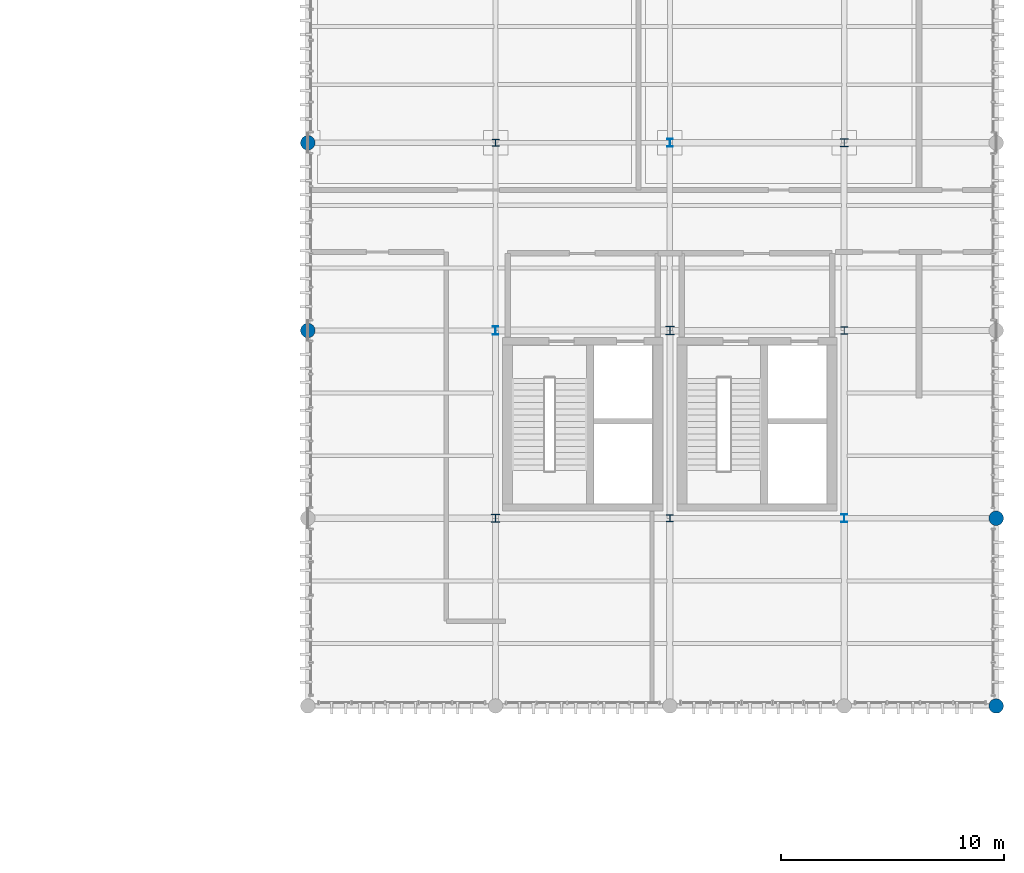
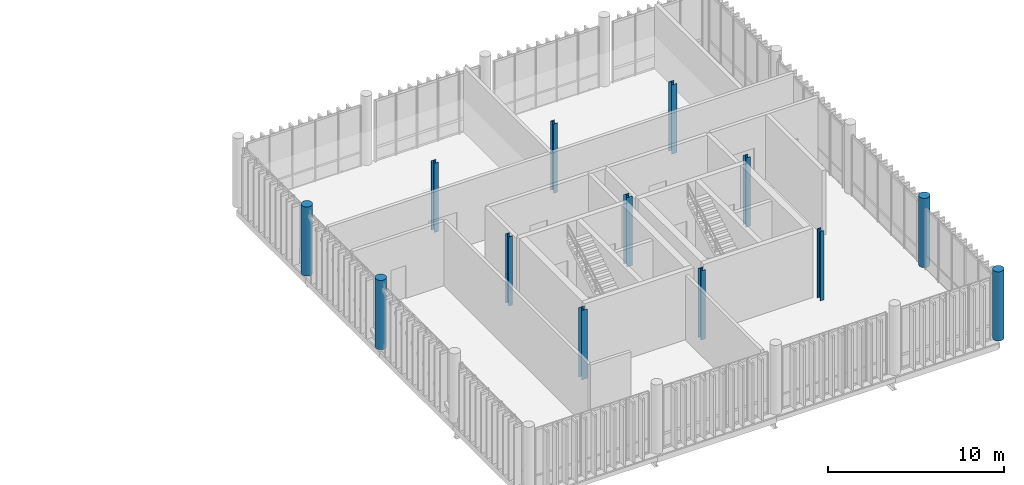
# One storey, part 5 of 86: 13 columns.
"""IFC4 building model written with IfcOpenShell, lengths in metres."""

from ifc_helpers import new_model, si_unit, direction, frame, origin_with_axes, origin_2d_with_axis, place, context, subcontext, project, spatial, circle, i_section, extrude, material, material_profile, profile_set, type_object, element, save


model = new_model("IFC4")

# Units and contexts
model_context = context("Model", 3, precision=1e-05, world=origin_with_axes(), true_north=direction((0.0, 1.0)))
body_context = subcontext(model_context, "Body", "Model", "MODEL_VIEW")
ifc_project = project(units=[si_unit("LENGTHUNIT", "METRE"), si_unit("AREAUNIT", "SQUARE_METRE"), si_unit("VOLUMEUNIT", "CUBIC_METRE"), si_unit("PLANEANGLEUNIT", "RADIAN"), si_unit("MASSUNIT", "GRAM", prefix="KILO"), si_unit("THERMODYNAMICTEMPERATUREUNIT", "KELVIN")], contexts=[model_context])

# Site, building, storey
site_placement = place(None, origin_with_axes())
site = spatial("IfcSite", under=ifc_project, at=site_placement, CompositionType="ELEMENT")
building_placement = place(site_placement, origin_with_axes())
building = spatial("IfcBuilding", under=site, at=building_placement, Name="Montbau Bow Law Courts", CompositionType="ELEMENT")
storey_placement = place(building_placement, frame((0.0, 0.0, 29.7), z_axis=(0.0, 0.0, 1.0), x_axis=(1.0, 0.0, 0.0)))
storey = spatial("IfcBuildingStorey", under=building, at=storey_placement, Name="L06", CompositionType="ELEMENT", Elevation=29.7)

# Columns
ifc_material_1 = material(Name="Concrete CSA A23.1 f'c 40 MPa", Category="concrete")
ifc_material_profile_1 = material_profile(ifc_material_1, circle(Radius=0.325, at=origin_2d_with_axis()), Name="RC650D", Category="Main", Priority=0)
ifc_profile_set_1 = profile_set([ifc_material_profile_1], Name="Concrete CSA A23.1 f'c 40 MPa")
column_type_1 = type_object("IfcColumnType", Name="C-RC-08", PredefinedType="COLUMN", material=ifc_profile_set_1)
for number, where, z_axis, x_axis, name in (
    (1, (138.6, 94.8, 29.7), (0.0, 0.0, 1.0), (1.0, 0.0, 0.0), "C-L06-S0974:col2_0974"),
    (2, (138.6, 103.2, 29.7), (0.0, 0.0, 1.0), (1.0, 0.0, 0.0), "C-L06-S0975:col2_0975"),
    (3, (169.4, 78.0, 29.7), (0.0, 0.0, 1.0), (1.0, 0.0, 0.0), "C-L06-S0992:col2_0992"),
    (4, (169.4, 86.4, 29.7), (0.0, 0.0, 1.0), (1.0, 0.0, 0.0), "C-L06-S0993:col2_0993"),
):
    element("IfcColumn", number, at=place(None, frame(where, z_axis=z_axis, x_axis=x_axis)), inside=storey, type_object=column_type_1, Name=name, PredefinedType="COLUMN", context=body_context, shape_type="SweptSolid", body=[
        extrude(circle(Radius=0.325, at=origin_2d_with_axis()), origin_with_axes(), (0.0, 0.0, 1.0), 4.8),
    ])
ifc_material_2 = material(Name="Steel CSA G40.21 Grade 350W (350 MPa)", Category="steel")
ifc_material_profile_2 = material_profile(ifc_material_2, i_section(OverallWidth=0.373, OverallDepth=0.368, WebThickness=0.015, FlangeThickness=0.0239, at=origin_2d_with_axis()), Name="W360X179", Category="Main", Priority=0)
ifc_profile_set_2 = profile_set([ifc_material_profile_2], Name="Steel CSA G40.21 Grade 350W (350 MPa)")
column_type_2 = type_object("IfcColumnType", Name="C-STL-04", PredefinedType="COLUMN", material=ifc_profile_set_2)
for number, where, z_axis, x_axis, name in (
    (5, (147.0, 86.4, 29.7), (0.0, 0.0, 1.0), (1.0, 0.0, 0.0), "C-L06-S0978:col2_0978"),
    (6, (154.8, 94.8, 29.7), (0.0, 0.0, 1.0), (1.0, 0.0, 0.0), "C-L06-S0984:col2_0984"),
    (7, (162.6, 103.2, 29.7), (0.0, 0.0, 1.0), (1.0, 0.0, 0.0), "C-L06-S0990:col2_0990"),
):
    element("IfcColumn", number, at=place(None, frame(where, z_axis=z_axis, x_axis=x_axis)), inside=storey, type_object=column_type_2, Name=name, PredefinedType="COLUMN", context=body_context, shape_type="SweptSolid", body=[
        extrude(i_section(OverallWidth=0.373, OverallDepth=0.368, WebThickness=0.015, FlangeThickness=0.0239, at=origin_2d_with_axis()), origin_with_axes(), (0.0, 0.0, 1.0), 4.8),
    ])
ifc_material_profile_3 = material_profile(ifc_material_2, i_section(OverallWidth=0.257, OverallDepth=0.363, WebThickness=0.013, FlangeThickness=0.0217, at=origin_2d_with_axis()), Name="W360X122", Category="Main", Priority=0)
ifc_profile_set_3 = profile_set([ifc_material_profile_3], Name="Steel CSA G40.21 Grade 350W (350 MPa)")
column_type_3 = type_object("IfcColumnType", Name="C-STL-05", PredefinedType="COLUMN", material=ifc_profile_set_3)
for number, where, z_axis, x_axis, name in (
    (8, (147.0, 94.8, 29.7), (0.0, 0.0, 1.0), (1.0, 0.0, 0.0), "C-L06-S0979:col2_0979"),
    (9, (154.8, 103.2, 29.7), (0.0, 0.0, 1.0), (1.0, 0.0, 0.0), "C-L06-S0985:col2_0985"),
    (10, (162.6, 86.4, 29.7), (0.0, 0.0, 1.0), (1.0, 0.0, 0.0), "C-L06-S0988:col2_0988"),
):
    element("IfcColumn", number, at=place(None, frame(where, z_axis=z_axis, x_axis=x_axis)), inside=storey, type_object=column_type_3, Name=name, PredefinedType="COLUMN", context=body_context, shape_type="SweptSolid", body=[
        extrude(i_section(OverallWidth=0.257, OverallDepth=0.363, WebThickness=0.013, FlangeThickness=0.0217, at=origin_2d_with_axis()), origin_with_axes(), (0.0, 0.0, 1.0), 4.8),
    ])
ifc_material_profile_4 = material_profile(ifc_material_2, i_section(OverallWidth=0.309, OverallDepth=0.323, WebThickness=0.014, FlangeThickness=0.0229, at=origin_2d_with_axis()), Name="W310X143", Category="Main", Priority=0)
ifc_profile_set_4 = profile_set([ifc_material_profile_4], Name="Steel CSA G40.21 Grade 350W (350 MPa)")
column_type_4 = type_object("IfcColumnType", Name="C-STL-06", PredefinedType="COLUMN", material=ifc_profile_set_4)
for number, where, z_axis, x_axis, name in (
    (11, (147.0, 103.2, 29.7), (0.0, 0.0, 1.0), (1.0, 0.0, 0.0), "C-L06-S0980:col2_0980"),
    (12, (154.8, 86.4, 29.7), (0.0, 0.0, 1.0), (1.0, 0.0, 0.0), "C-L06-S0983:col2_0983"),
    (13, (162.6, 94.8, 29.7), (0.0, 0.0, 1.0), (1.0, 0.0, 0.0), "C-L06-S0989:col2_0989"),
):
    element("IfcColumn", number, at=place(None, frame(where, z_axis=z_axis, x_axis=x_axis)), inside=storey, type_object=column_type_4, Name=name, PredefinedType="COLUMN", context=body_context, shape_type="SweptSolid", body=[
        extrude(i_section(OverallWidth=0.309, OverallDepth=0.323, WebThickness=0.014, FlangeThickness=0.0229, at=origin_2d_with_axis()), origin_with_axes(), (0.0, 0.0, 1.0), 4.8),
    ])

save(model, "model.ifc")
